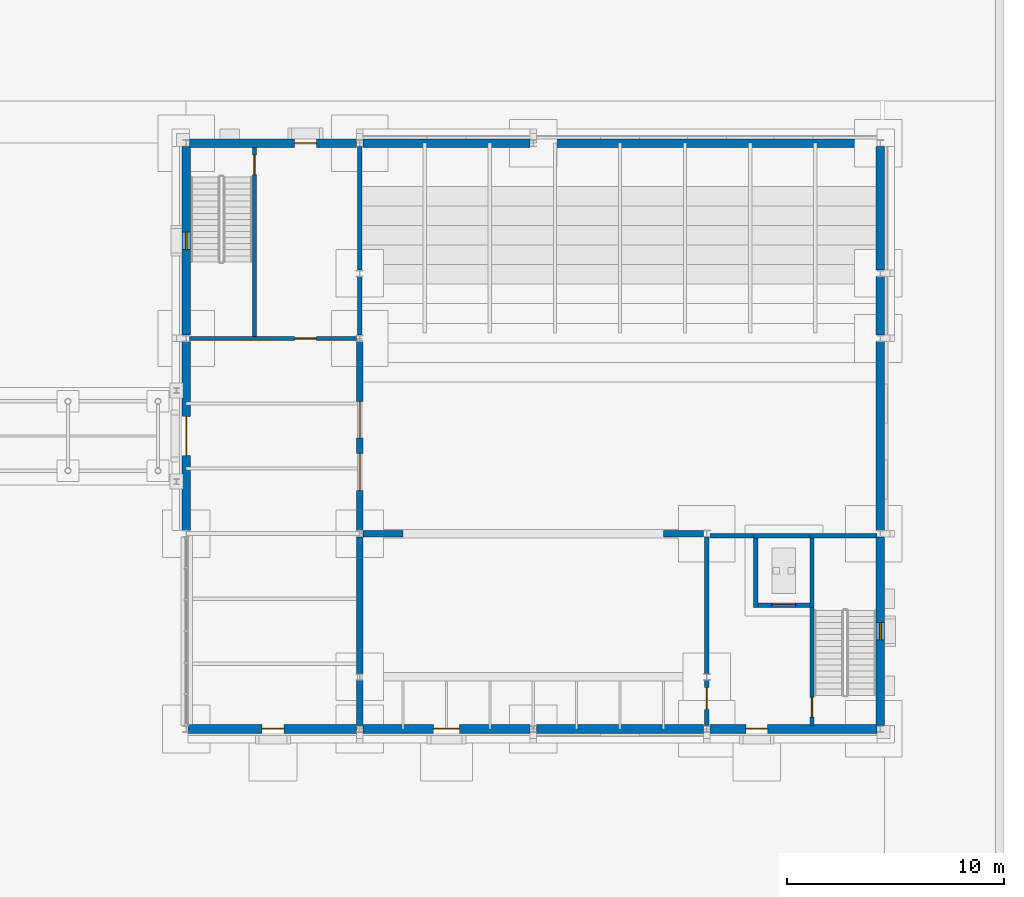
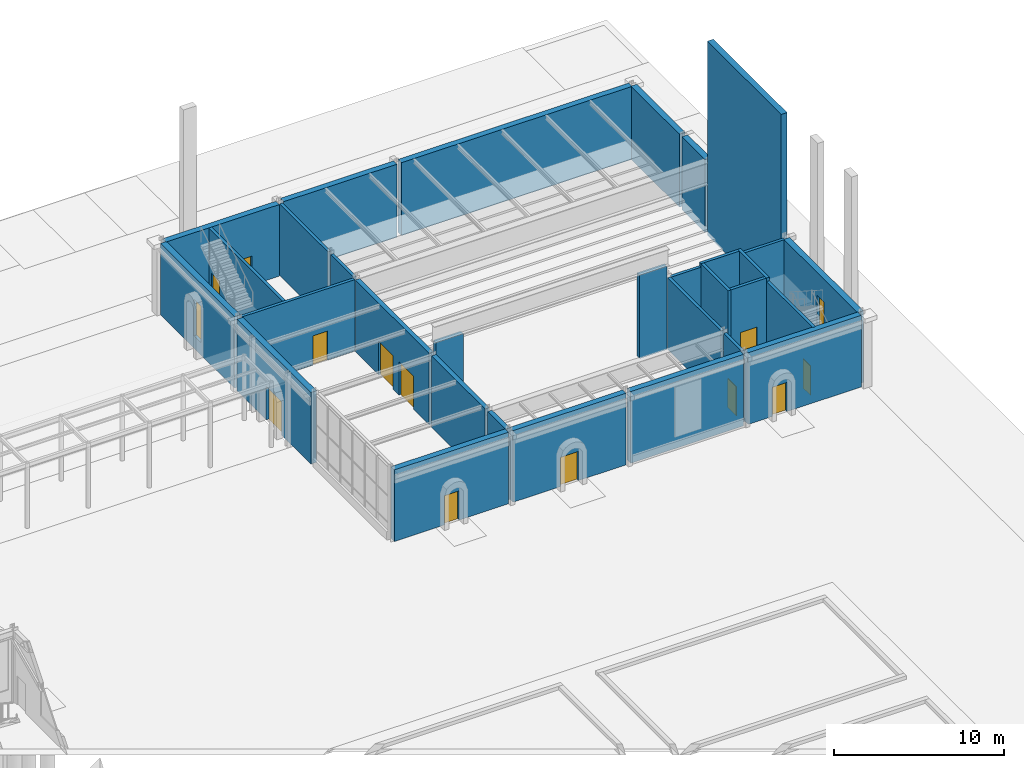
# One storey, part 84 of 126: 31 walls, 12 doors, 2 windows, 14 openings.
"""IFC4 building model written with IfcOpenShell, lengths in metres."""

from ifc_helpers import new_model, si_unit, direction, frame, frame_2d, origin, place, context, subcontext, project, spatial, rectangle, extrude, material, layer, layer_set, type_object, element, fill, save


model = new_model("IFC4")

# Units and contexts
model_context = context("Model", 3, precision=1e-05, world=origin(), true_north=direction((0.0, 1.0)))
body_context = subcontext(model_context, "Body", "Model", "MODEL_VIEW")
ifc_project = project(units=[si_unit("LENGTHUNIT", "METRE"), si_unit("AREAUNIT", "SQUARE_METRE"), si_unit("VOLUMEUNIT", "CUBIC_METRE"), si_unit("PLANEANGLEUNIT", "RADIAN"), si_unit("MASSUNIT", "GRAM", prefix="KILO")], contexts=[model_context])

# Site, building, storey
site_placement = place(None, origin())
site = spatial("IfcSite", under=ifc_project, at=site_placement, CompositionType="ELEMENT")
building_placement = place(site_placement, origin())
building = spatial("IfcBuilding", under=site, at=building_placement, Name="Kallimachos Central Library", CompositionType="ELEMENT")
storey_placement = place(building_placement, origin())
storey = spatial("IfcBuildingStorey", under=building, at=storey_placement, Name="L00", CompositionType="ELEMENT", Elevation=0.0)

# Walls
ifc_material_1 = material(Name="Concrete C30/37", Category="concrete")
ifc_layer_1 = layer(ifc_material_1, 0.199951171875)
ifc_layer_set_1 = layer_set([ifc_layer_1], Name="Core wall 200")
wall_type_1 = type_object("IfcWallType", Name="Core wall 200", PredefinedType="SOLIDWALL", material=ifc_layer_set_1)
wall_1_placement = place(storey_placement, frame((146.0, 105.14990234375, 0.0), z_axis=(0.0, 0.0, 1.0), x_axis=(0.0, 1.0, 0.0)))
element("IfcWall", 1, at=wall_1_placement, inside=storey, type_object=wall_type_1, Name="V3-WAL-L00-017", PredefinedType="SOLIDWALL", context=body_context, shape_type="SweptSolid", body=[
    extrude(rectangle(XDim=2.7001953125, YDim=0.199951171875, at=frame_2d((1.35009765625, 0.0))), origin(), (0.0, 0.0, 1.0), 5.14990234375),
])
wall_2_placement = place(storey_placement, frame((146.0, 108.14990234375, 0.0), z_axis=(0.0, 0.0, 1.0), x_axis=(0.0, 1.0, 0.0)))
element("IfcWall", 2, at=wall_2_placement, inside=storey, type_object=wall_type_1, Name="V3-WAL-L00-018", PredefinedType="SOLIDWALL", context=body_context, shape_type="SweptSolid", body=[
    extrude(rectangle(XDim=5.7001953125, YDim=0.199951171875, at=frame_2d((2.85009765625, 0.0))), origin(), (0.0, 0.0, 1.0), 5.14990234375),
])

# Wall, opening, door
wall_3_placement = place(storey_placement, frame((162.0, 87.14990234375, 0.0), z_axis=(0.0, 0.0, 1.0), x_axis=(0.0, 1.0, 0.0)))
wall_3 = element("IfcWall", 3, at=wall_3_placement, inside=storey, type_object=wall_type_1, Name="V3-WAL-L00-021", PredefinedType="SOLIDWALL", context=body_context, shape_type="SweptSolid", body=[
    extrude(rectangle(XDim=2.10009765625, YDim=0.199951171875, at=frame_2d((1.050048828125, 0.0))), origin(), (0.0, 0.0, 1.0), 5.14990234375),
])
opening_1_placement = place(wall_3_placement, frame((0.75, 0.0, 0.0)))
opening_1 = element("IfcOpeningElement", 4, at=opening_1_placement, cuts=wall_3, Name="Opening D321", PredefinedType="OPENING", context=body_context, shape_type="SweptSolid", body=[
    extrude(rectangle(XDim=1.0, YDim=2.10009765625, at=frame_2d((0.5, 1.050048828125))), frame((0.0, 0.10986328125, 0.0), z_axis=(0.0, -1.0, 0.0), x_axis=(1.0, 0.0, 0.0)), (0.0, 0.0, 1.0), 0.219970703125),
])
ifc_material_2 = material(Name="Oak timber", Category="wood")
door_type_1 = type_object("IfcDoorType", Name="Single door 1000 x 2100", OperationType="NOTDEFINED", PredefinedType="DOOR", material=ifc_material_2)
door_1_placement = place(opening_1_placement, frame((1.0, 0.0, 0.0), z_axis=(0.0, 0.0, 1.0), x_axis=(-1.0, 0.0, 0.0)))
door_1 = element("IfcDoor", 5, at=door_1_placement, inside=storey, type_object=door_type_1, Name="Stage side door L00", OperationType="SINGLE_SWING_LEFT", OverallHeight=2.10009765625, OverallWidth=1.0, PredefinedType="DOOR", context=body_context, shape_type="SweptSolid", body=[
    extrude(rectangle(XDim=1.0, YDim=2.10009765625, at=frame_2d((0.5, 1.050048828125))), frame((0.0, 0.02490234375, 0.0), z_axis=(0.0, -1.0, 0.0), x_axis=(1.0, 0.0, 0.0)), (0.0, 0.0, 1.0), 0.050048828125),
])
fill(opening_1, door_1)

# Wall
wall_4_placement = place(storey_placement, frame((162.0, 89.550048828125, 0.0), z_axis=(0.0, 0.0, 1.0), x_axis=(0.0, 1.0, 0.0)))
element("IfcWall", 6, at=wall_4_placement, inside=storey, type_object=wall_type_1, Name="V3-WAL-L00-022", PredefinedType="SOLIDWALL", context=body_context, shape_type="SweptSolid", body=[
    extrude(rectangle(XDim=6.300048828125, YDim=0.199951171875, at=frame_2d((3.14990234375, 0.0))), origin(), (0.0, 0.0, 1.0), 5.14990234375),
])

# Wall, opening, door
wall_5_placement = place(storey_placement, frame((138.14990234375, 105.0, 0.0), z_axis=(0.0, 0.0, 1.0), x_axis=(1.0, 0.0, 0.0)))
wall_5 = element("IfcWall", 7, at=wall_5_placement, inside=storey, type_object=wall_type_1, Name="V3-WAL-L00-023", PredefinedType="SOLIDWALL", context=body_context, shape_type="SweptSolid", body=[
    extrude(rectangle(XDim=7.7001953125, YDim=0.199951171875, at=frame_2d((3.85009765625, 0.0))), origin(), (0.0, 0.0, 1.0), 5.14990234375),
])
opening_2_placement = place(wall_5_placement, frame((4.85009765625, 0.0, 0.0)))
opening_2 = element("IfcOpeningElement", 8, at=opening_2_placement, cuts=wall_5, Name="Opening D323", PredefinedType="OPENING", context=body_context, shape_type="SweptSolid", body=[
    extrude(rectangle(XDim=1.0, YDim=2.10009765625, at=frame_2d((0.5, 1.050048828125))), frame((0.0, 0.10986328125, 0.0), z_axis=(0.0, -1.0, 0.0), x_axis=(1.0, 0.0, 0.0)), (0.0, 0.0, 1.0), 0.219970703125),
])
door_2_placement = place(opening_2_placement, origin())
door_2 = element("IfcDoor", 9, at=door_2_placement, inside=storey, type_object=door_type_1, Name="Stair lobby ST8 door L00", OperationType="SINGLE_SWING_RIGHT", OverallHeight=2.10009765625, OverallWidth=1.0, PredefinedType="DOOR", context=body_context, shape_type="SweptSolid", body=[
    extrude(rectangle(XDim=1.0, YDim=2.10009765625, at=frame_2d((0.5, 1.050048828125))), frame((0.0, 0.02490234375, 0.0), z_axis=(0.0, -1.0, 0.0), x_axis=(1.0, 0.0, 0.0)), (0.0, 0.0, 1.0), 0.050048828125),
])
fill(opening_2, door_2)

# Walls
wall_6_placement = place(storey_placement, frame((162.14990234375, 95.89990234375, 0.0), z_axis=(0.0, 0.0, 1.0), x_axis=(1.0, 0.0, 0.0)))
element("IfcWall", 10, at=wall_6_placement, inside=storey, type_object=wall_type_1, Name="V3-WAL-L00-024", PredefinedType="SOLIDWALL", context=body_context, shape_type="SweptSolid", body=[
    extrude(rectangle(XDim=2.0, YDim=0.199951171875, at=frame_2d((1.0, 0.0))), origin(), (0.0, 0.0, 1.0), 5.14990234375),
])
wall_7_placement = place(storey_placement, frame((166.75, 95.89990234375, 0.0), z_axis=(0.0, 0.0, 1.0), x_axis=(1.0, 0.0, 0.0)))
element("IfcWall", 11, at=wall_7_placement, inside=storey, type_object=wall_type_1, Name="V3-WAL-L00-025", PredefinedType="SOLIDWALL", context=body_context, shape_type="SweptSolid", body=[
    extrude(rectangle(XDim=3.10009765625, YDim=0.199951171875, at=frame_2d((1.550048828125, 0.0))), origin(), (0.0, 0.0, 1.0), 5.14990234375),
])

# Wall, opening, door
wall_8_placement = place(storey_placement, frame((166.85009765625, 87.14990234375, 0.0), z_axis=(0.0, 0.0, 1.0), x_axis=(0.0, 1.0, 0.0)))
wall_8 = element("IfcWall", 12, at=wall_8_placement, inside=storey, type_object=wall_type_1, Name="V3-WAL-L00-026", PredefinedType="SOLIDWALL", context=body_context, shape_type="SweptSolid", body=[
    extrude(rectangle(XDim=5.4501953125, YDim=0.199951171875, at=frame_2d((2.72509765625, 0.0))), origin(), (0.0, 0.0, 1.0), 5.14990234375),
])
opening_3_placement = place(wall_8_placement, frame((0.39990234375, 0.0, 0.0)))
opening_3 = element("IfcOpeningElement", 13, at=opening_3_placement, cuts=wall_8, Name="Opening D322", PredefinedType="OPENING", context=body_context, shape_type="SweptSolid", body=[
    extrude(rectangle(XDim=0.89990234375, YDim=2.10009765625, at=frame_2d((0.449951171875, 1.050048828125))), frame((0.0, 0.10986328125, 0.0), z_axis=(0.0, -1.0, 0.0), x_axis=(1.0, 0.0, 0.0)), (0.0, 0.0, 1.0), 0.219970703125),
])
ifc_material_3 = material(Name="Steel", Category="steel")
door_type_2 = type_object("IfcDoorType", Name="Single door 900 x 2100", OperationType="NOTDEFINED", PredefinedType="DOOR", material=ifc_material_3)
door_3_placement = place(opening_3_placement, frame((0.89990234375, 0.0, 0.0), z_axis=(0.0, 0.0, 1.0), x_axis=(-1.0, 0.0, 0.0)))
door_3 = element("IfcDoor", 14, at=door_3_placement, inside=storey, type_object=door_type_2, Name="Stair ST7 door L00", OperationType="SINGLE_SWING_LEFT", OverallHeight=2.10009765625, OverallWidth=0.89990234375, PredefinedType="DOOR", context=body_context, shape_type="SweptSolid", body=[
    extrude(rectangle(XDim=0.89990234375, YDim=2.10009765625, at=frame_2d((0.449951171875, 1.050048828125))), frame((0.0, 0.02490234375, 0.0), z_axis=(0.0, -1.0, 0.0), x_axis=(1.0, 0.0, 0.0)), (0.0, 0.0, 1.0), 0.050048828125),
])
fill(opening_3, door_3)

wall_9_placement = place(storey_placement, frame((141.14990234375, 105.10009765625, 0.0), z_axis=(0.0, 0.0, 1.0), x_axis=(0.0, 1.0, 0.0)))
wall_9 = element("IfcWall", 15, at=wall_9_placement, inside=storey, type_object=wall_type_1, Name="V3-WAL-L00-027", PredefinedType="SOLIDWALL", context=body_context, shape_type="SweptSolid", body=[
    extrude(rectangle(XDim=8.699951171875, YDim=0.199951171875, at=frame_2d((4.35009765625, 0.0))), origin(), (0.0, 0.0, 1.0), 5.14990234375),
])
opening_4_placement = place(wall_9_placement, frame((7.449951171875, 0.0, 0.0)))
opening_4 = element("IfcOpeningElement", 16, at=opening_4_placement, cuts=wall_9, Name="Opening D324", PredefinedType="OPENING", context=body_context, shape_type="SweptSolid", body=[
    extrude(rectangle(XDim=0.89990234375, YDim=2.10009765625, at=frame_2d((0.449951171875, 1.050048828125))), frame((0.0, 0.10986328125, 0.0), z_axis=(0.0, -1.0, 0.0), x_axis=(1.0, 0.0, 0.0)), (0.0, 0.0, 1.0), 0.219970703125),
])
door_4_placement = place(opening_4_placement, origin())
door_4 = element("IfcDoor", 17, at=door_4_placement, inside=storey, type_object=door_type_2, Name="Stair ST8 door L00", OperationType="SINGLE_SWING_LEFT", OverallHeight=2.10009765625, OverallWidth=0.89990234375, PredefinedType="DOOR", context=body_context, shape_type="SweptSolid", body=[
    extrude(rectangle(XDim=0.89990234375, YDim=2.10009765625, at=frame_2d((0.449951171875, 1.050048828125))), frame((0.0, 0.02490234375, 0.0), z_axis=(0.0, -1.0, 0.0), x_axis=(1.0, 0.0, 0.0)), (0.0, 0.0, 1.0), 0.050048828125),
])
fill(opening_4, door_4)

# Walls
ifc_material_4 = material(Name="Concrete C30/37", Category="concrete")
ifc_layer_2 = layer(ifc_material_4, 0.300048828125)
ifc_layer_set_2 = layer_set([ifc_layer_2], Name="Hall wall 300, load-bearing")
wall_type_2 = type_object("IfcWallType", Name="Hall wall 300, load-bearing", PredefinedType="SOLIDWALL", material=ifc_layer_set_2)
wall_10_placement = place(storey_placement, frame((146.0, 87.14990234375, 0.0), z_axis=(0.0, 0.0, 1.0), x_axis=(0.0, 1.0, 0.0)))
element("IfcWall", 18, at=wall_10_placement, inside=storey, type_object=wall_type_2, Name="V3-WAL-L00-014", PredefinedType="SOLIDWALL", context=body_context, shape_type="SweptSolid", body=[
    extrude(rectangle(XDim=2.10009765625, YDim=0.300048828125, at=frame_2d((1.050048828125, 0.0))), origin(), (0.0, 0.0, 1.0), 5.14990234375),
])
wall_11_placement = place(storey_placement, frame((146.0, 89.550048828125, 0.0), z_axis=(0.0, 0.0, 1.0), x_axis=(0.0, 1.0, 0.0)))
element("IfcWall", 19, at=wall_11_placement, inside=storey, type_object=wall_type_2, Name="V3-WAL-L00-015", PredefinedType="SOLIDWALL", context=body_context, shape_type="SweptSolid", body=[
    extrude(rectangle(XDim=6.300048828125, YDim=0.300048828125, at=frame_2d((3.14990234375, 0.0))), origin(), (0.0, 0.0, 1.0), 5.14990234375),
])

# Wall, openings, doors
wall_12_placement = place(storey_placement, frame((146.0, 96.14990234375, 0.0), z_axis=(0.0, 0.0, 1.0), x_axis=(0.0, 1.0, 0.0)))
wall_12 = element("IfcWall", 20, at=wall_12_placement, inside=storey, type_object=wall_type_2, Name="V3-WAL-L00-016", PredefinedType="SOLIDWALL", context=body_context, shape_type="SweptSolid", body=[
    extrude(rectangle(XDim=8.7001953125, YDim=0.300048828125, at=frame_2d((4.35009765625, 0.0))), origin(), (0.0, 0.0, 1.0), 5.14990234375),
])
opening_5_placement = place(wall_12_placement, frame((1.85009765625, 0.0, 0.0)))
opening_5 = element("IfcOpeningElement", 21, at=opening_5_placement, cuts=wall_12, Name="Opening D319", PredefinedType="OPENING", context=body_context, shape_type="SweptSolid", body=[
    extrude(rectangle(XDim=1.699951171875, YDim=2.39990234375, at=frame_2d((0.85009765625, 1.199951171875))), frame((0.0, 0.159912109375, 0.0), z_axis=(0.0, -1.0, 0.0), x_axis=(1.0, 0.0, 0.0)), (0.0, 0.0, 1.0), 0.320068359375),
])
opening_6_placement = place(wall_12_placement, frame((4.25, 0.0, 0.0)))
opening_6 = element("IfcOpeningElement", 22, at=opening_6_placement, cuts=wall_12, Name="Opening D320", PredefinedType="OPENING", context=body_context, shape_type="SweptSolid", body=[
    extrude(rectangle(XDim=1.699951171875, YDim=2.39990234375, at=frame_2d((0.85009765625, 1.199951171875))), frame((0.0, 0.159912109375, 0.0), z_axis=(0.0, -1.0, 0.0), x_axis=(1.0, 0.0, 0.0)), (0.0, 0.0, 1.0), 0.320068359375),
])
ifc_material_5 = material(Name="Oak timber", Category="wood")
door_type_3 = type_object("IfcDoorType", Name="Hall door 1700 x 2400", OperationType="DOUBLE_DOOR_SINGLE_SWING", PredefinedType="DOOR", material=ifc_material_5)
door_5_placement = place(opening_5_placement, origin())
door_5 = element("IfcDoor", 23, at=door_5_placement, inside=storey, type_object=door_type_3, Name="Hall door L00 west", OperationType="DOUBLE_DOOR_SINGLE_SWING", OverallHeight=2.39990234375, OverallWidth=1.699951171875, PredefinedType="DOOR", context=body_context, shape_type="SweptSolid", body=[
    extrude(rectangle(XDim=1.699951171875, YDim=2.39990234375, at=frame_2d((0.85009765625, 1.199951171875))), frame((0.0, 0.02490234375, 0.0), z_axis=(0.0, -1.0, 0.0), x_axis=(1.0, 0.0, 0.0)), (0.0, 0.0, 1.0), 0.050048828125),
])
fill(opening_5, door_5)
door_6_placement = place(opening_6_placement, origin())
door_6 = element("IfcDoor", 24, at=door_6_placement, inside=storey, type_object=door_type_3, Name="Hall door L00 west 2", OperationType="DOUBLE_DOOR_SINGLE_SWING", OverallHeight=2.39990234375, OverallWidth=1.699951171875, PredefinedType="DOOR", context=body_context, shape_type="SweptSolid", body=[
    extrude(rectangle(XDim=1.699951171875, YDim=2.39990234375, at=frame_2d((0.85009765625, 1.199951171875))), frame((0.0, 0.02490234375, 0.0), z_axis=(0.0, -1.0, 0.0), x_axis=(1.0, 0.0, 0.0)), (0.0, 0.0, 1.0), 0.050048828125),
])
fill(opening_6, door_6)

# Walls
for number, where, z_axis, x_axis, name in (
    (25, (146.14990234375, 96.0, 0.0), (0.0, 0.0, 1.0), (1.0, 0.0, 0.0), "V3-WAL-L00-019"),
    (26, (160.0, 96.0, 0.0), (0.0, 0.0, 1.0), (1.0, 0.0, 0.0), "V3-WAL-L00-020"),
):
    element("IfcWall", number, at=place(storey_placement, frame(where, z_axis=z_axis, x_axis=x_axis)), inside=storey, type_object=wall_type_2, Name=name, PredefinedType="SOLIDWALL", context=body_context, shape_type="SweptSolid", body=[
        extrude(rectangle(XDim=1.85009765625, YDim=0.300048828125, at=frame_2d((0.925048828125, 0.0))), origin(), (0.0, 0.0, 1.0), 6.0),
    ])
ifc_material_6 = material(Name="Concrete C30/37", Category="concrete")
ifc_layer_3 = layer(ifc_material_6, 0.199951171875)
ifc_layer_set_3 = layer_set([ifc_layer_3], Name="Lift shaft wall 200")
wall_type_3 = type_object("IfcWallType", Name="Lift shaft wall 200", PredefinedType="SOLIDWALL", material=ifc_layer_set_3)
wall_13_placement = place(storey_placement, frame((164.14990234375, 95.89990234375, -1.10009765625), z_axis=(0.0, 0.0, 1.0), x_axis=(1.0, 0.0, 0.0)))
element("IfcWall", 27, at=wall_13_placement, inside=storey, type_object=wall_type_3, Name="V3-WAL-L00-028", PredefinedType="SOLIDWALL", context=body_context, shape_type="SweptSolid", body=[
    extrude(rectangle(XDim=2.60009765625, YDim=0.199951171875, at=frame_2d((1.300048828125, 0.0))), origin(), (0.0, 0.0, 1.0), 6.5),
])

# Wall, opening, door
wall_14_placement = place(storey_placement, frame((164.35009765625, 92.699951171875, -1.10009765625), z_axis=(0.0, 0.0, 1.0), x_axis=(1.0, 0.0, 0.0)))
wall_14 = element("IfcWall", 28, at=wall_14_placement, inside=storey, type_object=wall_type_3, Name="V3-WAL-L00-029", PredefinedType="SOLIDWALL", context=body_context, shape_type="SweptSolid", body=[
    extrude(rectangle(XDim=2.39990234375, YDim=0.199951171875, at=frame_2d((1.199951171875, 0.0))), origin(), (0.0, 0.0, 1.0), 6.5),
])
opening_7_placement = place(wall_14_placement, frame((0.64990234375, 0.0, 1.10009765625)))
opening_7 = element("IfcOpeningElement", 29, at=opening_7_placement, cuts=wall_14, Name="Opening LD1100", PredefinedType="OPENING", context=body_context, shape_type="SweptSolid", body=[
    extrude(rectangle(XDim=1.10009765625, YDim=2.10009765625, at=frame_2d((0.550048828125, 1.050048828125))), frame((0.0, 0.10986328125, 0.0), z_axis=(0.0, -1.0, 0.0), x_axis=(1.0, 0.0, 0.0)), (0.0, 0.0, 1.0), 0.219970703125),
])
ifc_material_7 = material(Name="Stainless steel", Category="steel")
door_type_4 = type_object("IfcDoorType", Name="Lift landing door 1100 x 2100", OperationType="SLIDING_TO_LEFT", PredefinedType="DOOR", material=ifc_material_7)
door_7_placement = place(opening_7_placement, origin())
door_7 = element("IfcDoor", 30, at=door_7_placement, inside=storey, type_object=door_type_4, Name="LF6 landing door L00", OperationType="SLIDING_TO_LEFT", OverallHeight=2.10009765625, OverallWidth=1.10009765625, PredefinedType="DOOR", context=body_context, shape_type="SweptSolid", body=[
    extrude(rectangle(XDim=1.10009765625, YDim=2.10009765625, at=frame_2d((0.550048828125, 1.050048828125))), frame((0.0, 0.02490234375, 0.0), z_axis=(0.0, -1.0, 0.0), x_axis=(1.0, 0.0, 0.0)), (0.0, 0.0, 1.0), 0.050048828125),
])
fill(opening_7, door_7)

# Walls
for number, where, z_axis, x_axis, name in (
    (31, (164.25, 92.60009765625, -1.10009765625), (0.0, 0.0, 1.0), (0.0, 1.0, 0.0), "V3-WAL-L00-030"),
    (32, (166.85009765625, 92.60009765625, -1.10009765625), (0.0, 0.0, 1.0), (0.0, 1.0, 0.0), "V3-WAL-L00-031"),
):
    element("IfcWall", number, at=place(storey_placement, frame(where, z_axis=z_axis, x_axis=x_axis)), inside=storey, type_object=wall_type_3, Name=name, PredefinedType="SOLIDWALL", context=body_context, shape_type="SweptSolid", body=[
        extrude(rectangle(XDim=3.39990234375, YDim=0.199951171875, at=frame_2d((1.699951171875, 0.0))), origin(), (0.0, 0.0, 1.0), 6.5),
    ])

# Wall, opening, door
ifc_material_8 = material(Name="Concrete C30/37", Category="concrete")
ifc_layer_4 = layer(ifc_material_8, 0.39990234375)
ifc_layer_set_4 = layer_set([ifc_layer_4], Name="Stone-clad wall 400")
wall_type_4 = type_object("IfcWallType", Name="Stone-clad wall 400", PredefinedType="SOLIDWALL", material=ifc_layer_set_4)
wall_15_placement = place(storey_placement, frame((138.0, 96.14990234375, 0.0), z_axis=(0.0, 0.0, 1.0), x_axis=(0.0, 1.0, 0.0)))
wall_15 = element("IfcWall", 33, at=wall_15_placement, inside=storey, type_object=wall_type_4, Name="V3-WAL-L00-001", PredefinedType="SOLIDWALL", context=body_context, shape_type="SweptSolid", body=[
    extrude(rectangle(XDim=8.7001953125, YDim=0.39990234375, at=frame_2d((4.35009765625, 0.0))), origin(), (0.0, 0.0, 1.0), 5.14990234375),
])
opening_8_placement = place(wall_15_placement, frame((3.449951171875, 0.0, 0.0)))
opening_8 = element("IfcOpeningElement", 34, at=opening_8_placement, cuts=wall_15, Name="Opening DL6", PredefinedType="OPENING", context=body_context, shape_type="SweptSolid", body=[
    extrude(rectangle(XDim=1.800048828125, YDim=2.39990234375, at=frame_2d((0.89990234375, 1.199951171875))), frame((0.0, 0.2099609375, 0.0), z_axis=(0.0, -1.0, 0.0), x_axis=(1.0, 0.0, 0.0)), (0.0, 0.0, 1.0), 0.419921875),
])
ifc_material_9 = material(Name="Anodised aluminium and laminated glass", Category="aluminium")
door_type_5 = type_object("IfcDoorType", Name="Link door 1800 x 2400, EI2 90", OperationType="DOUBLE_DOOR_SINGLE_SWING", PredefinedType="DOOR", material=ifc_material_9)
door_8_placement = place(opening_8_placement, origin())
door_8 = element("IfcDoor", 35, at=door_8_placement, inside=storey, type_object=door_type_5, Name="Link door L00 arcade", OperationType="DOUBLE_DOOR_SINGLE_SWING", OverallHeight=2.39990234375, OverallWidth=1.800048828125, PredefinedType="DOOR", context=body_context, shape_type="SweptSolid", body=[
    extrude(rectangle(XDim=1.800048828125, YDim=2.39990234375, at=frame_2d((0.89990234375, 1.199951171875))), frame((0.0, 0.02490234375, 0.0), z_axis=(0.0, -1.0, 0.0), x_axis=(1.0, 0.0, 0.0)), (0.0, 0.0, 1.0), 0.050048828125),
])
fill(opening_8, door_8)

# Wall, opening, window
wall_16_placement = place(storey_placement, frame((138.0, 105.14990234375, 0.0), z_axis=(0.0, 0.0, 1.0), x_axis=(0.0, 1.0, 0.0)))
wall_16 = element("IfcWall", 36, at=wall_16_placement, inside=storey, type_object=wall_type_4, Name="V3-WAL-L00-002", PredefinedType="SOLIDWALL", context=body_context, shape_type="SweptSolid", body=[
    extrude(rectangle(XDim=8.7001953125, YDim=0.39990234375, at=frame_2d((4.35009765625, 0.0))), origin(), (0.0, 0.0, 1.0), 5.14990234375),
])
opening_9_placement = place(wall_16_placement, frame((3.949951171875, 0.0, 0.89990234375)))
opening_9 = element("IfcOpeningElement", 37, at=opening_9_placement, cuts=wall_16, Name="Opening W79", PredefinedType="OPENING", context=body_context, shape_type="SweptSolid", body=[
    extrude(rectangle(XDim=0.800048828125, YDim=2.60009765625, at=frame_2d((0.39990234375, 1.300048828125))), frame((0.0, 0.2099609375, 0.0), z_axis=(0.0, -1.0, 0.0), x_axis=(1.0, 0.0, 0.0)), (0.0, 0.0, 1.0), 0.419921875),
])
ifc_material_10 = material(Name="Anodised aluminium and laminated glass", Category="aluminium")
window_type = type_object("IfcWindowType", Name="Slot window 800 x 2600", PartitioningType="SINGLE_PANEL", PredefinedType="WINDOW", material=ifc_material_10)
window_1_placement = place(opening_9_placement, origin())
window_1 = element("IfcWindow", 38, at=window_1_placement, inside=storey, type_object=window_type, Name="V3-WIN-L00-001", OverallHeight=2.60009765625, OverallWidth=0.800048828125, PartitioningType="SINGLE_PANEL", PredefinedType="WINDOW", context=body_context, shape_type="SweptSolid", body=[
    extrude(rectangle(XDim=0.800048828125, YDim=2.60009765625, at=frame_2d((0.39990234375, 1.300048828125))), frame((0.0, 0.030029296875, 0.0), z_axis=(0.0, -1.0, 0.0), x_axis=(1.0, 0.0, 0.0)), (0.0, 0.0, 1.0), 0.06005859375),
])
fill(opening_9, window_1)

wall_17_placement = place(storey_placement, frame((170.0, 87.14990234375, 0.0), z_axis=(0.0, 0.0, 1.0), x_axis=(0.0, 1.0, 0.0)))
wall_17 = element("IfcWall", 39, at=wall_17_placement, inside=storey, type_object=wall_type_4, Name="V3-WAL-L00-003", PredefinedType="SOLIDWALL", context=body_context, shape_type="SweptSolid", body=[
    extrude(rectangle(XDim=8.7001953125, YDim=0.39990234375, at=frame_2d((4.35009765625, 0.0))), origin(), (0.0, 0.0, 1.0), 5.14990234375),
])
opening_10_placement = place(wall_17_placement, frame((3.949951171875, 0.0, 0.89990234375)))
opening_10 = element("IfcOpeningElement", 40, at=opening_10_placement, cuts=wall_17, Name="Opening W79", PredefinedType="OPENING", context=body_context, shape_type="SweptSolid", body=[
    extrude(rectangle(XDim=0.800048828125, YDim=2.60009765625, at=frame_2d((0.39990234375, 1.300048828125))), frame((0.0, 0.2099609375, 0.0), z_axis=(0.0, -1.0, 0.0), x_axis=(1.0, 0.0, 0.0)), (0.0, 0.0, 1.0), 0.419921875),
])
window_2_placement = place(opening_10_placement, origin())
window_2 = element("IfcWindow", 41, at=window_2_placement, inside=storey, type_object=window_type, Name="V3-WIN-L00-002", OverallHeight=2.60009765625, OverallWidth=0.800048828125, PartitioningType="SINGLE_PANEL", PredefinedType="WINDOW", context=body_context, shape_type="SweptSolid", body=[
    extrude(rectangle(XDim=0.800048828125, YDim=2.60009765625, at=frame_2d((0.39990234375, 1.300048828125))), frame((0.0, 0.030029296875, 0.0), z_axis=(0.0, -1.0, 0.0), x_axis=(1.0, 0.0, 0.0)), (0.0, 0.0, 1.0), 0.06005859375),
])
fill(opening_10, window_2)

# Walls
wall_18_placement = place(storey_placement, frame((170.0, 96.14990234375, 0.0), z_axis=(0.0, 0.0, 1.0), x_axis=(0.0, 1.0, 0.0)))
element("IfcWall", 42, at=wall_18_placement, inside=storey, type_object=wall_type_4, Name="V3-WAL-L00-004", PredefinedType="SOLIDWALL", context=body_context, shape_type="SweptSolid", body=[
    extrude(rectangle(XDim=8.7001953125, YDim=0.39990234375, at=frame_2d((4.35009765625, 0.0))), origin(), (0.0, 0.0, 1.0), 13.949951171875),
])
wall_19_placement = place(storey_placement, frame((170.0, 105.14990234375, 0.0), z_axis=(0.0, 0.0, 1.0), x_axis=(0.0, 1.0, 0.0)))
element("IfcWall", 43, at=wall_19_placement, inside=storey, type_object=wall_type_4, Name="V3-WAL-L00-005", PredefinedType="SOLIDWALL", context=body_context, shape_type="SweptSolid", body=[
    extrude(rectangle(XDim=2.7001953125, YDim=0.39990234375, at=frame_2d((1.35009765625, 0.0))), origin(), (0.0, 0.0, 1.0), 5.25),
])
wall_20_placement = place(storey_placement, frame((170.0, 108.14990234375, 0.0), z_axis=(0.0, 0.0, 1.0), x_axis=(0.0, 1.0, 0.0)))
element("IfcWall", 44, at=wall_20_placement, inside=storey, type_object=wall_type_4, Name="V3-WAL-L00-006", PredefinedType="SOLIDWALL", context=body_context, shape_type="SweptSolid", body=[
    extrude(rectangle(XDim=5.7001953125, YDim=0.39990234375, at=frame_2d((2.85009765625, 0.0))), origin(), (0.0, 0.0, 1.0), 5.25),
])

# Wall, opening, door
wall_21_placement = place(storey_placement, frame((138.090087890625, 87.0, 0.0), z_axis=(0.0, 0.0, 1.0), x_axis=(1.0, 0.0, 0.0)))
wall_21 = element("IfcWall", 45, at=wall_21_placement, inside=storey, type_object=wall_type_4, Name="V3-WAL-L00-007", PredefinedType="SOLIDWALL", context=body_context, shape_type="SweptSolid", body=[
    extrude(rectangle(XDim=7.760009765625, YDim=0.39990234375, at=frame_2d((3.8798828125, 0.0))), origin(), (0.0, 0.0, 1.0), 5.14990234375),
])
opening_11_placement = place(wall_21_placement, frame((3.409912109375, 0.0, 0.0)))
opening_11 = element("IfcOpeningElement", 46, at=opening_11_placement, cuts=wall_21, Name="Opening D68", PredefinedType="OPENING", context=body_context, shape_type="SweptSolid", body=[
    extrude(rectangle(XDim=1.0, YDim=2.10009765625, at=frame_2d((0.5, 1.050048828125))), frame((0.0, 0.2099609375, 0.0), z_axis=(0.0, -1.0, 0.0), x_axis=(1.0, 0.0, 0.0)), (0.0, 0.0, 1.0), 0.419921875),
])
door_9_placement = place(opening_11_placement, frame((1.0, 0.0, 0.0), z_axis=(0.0, 0.0, 1.0), x_axis=(-1.0, 0.0, 0.0)))
door_9 = element("IfcDoor", 47, at=door_9_placement, inside=storey, type_object=door_type_1, Name="Exit Door foyer south", OperationType="SINGLE_SWING_RIGHT", OverallHeight=2.10009765625, OverallWidth=1.0, PredefinedType="DOOR", context=body_context, shape_type="SweptSolid", body=[
    extrude(rectangle(XDim=1.0, YDim=2.10009765625, at=frame_2d((0.5, 1.050048828125))), frame((0.0, 0.02490234375, 0.0), z_axis=(0.0, -1.0, 0.0), x_axis=(1.0, 0.0, 0.0)), (0.0, 0.0, 1.0), 0.050048828125),
])
fill(opening_11, door_9)

wall_22_placement = place(storey_placement, frame((146.14990234375, 87.0, 0.0), z_axis=(0.0, 0.0, 1.0), x_axis=(1.0, 0.0, 0.0)))
wall_22 = element("IfcWall", 48, at=wall_22_placement, inside=storey, type_object=wall_type_4, Name="V3-WAL-L00-008", PredefinedType="SOLIDWALL", context=body_context, shape_type="SweptSolid", body=[
    extrude(rectangle(XDim=7.7001953125, YDim=0.39990234375, at=frame_2d((3.85009765625, 0.0))), origin(), (0.0, 0.0, 1.0), 5.14990234375),
])
opening_12_placement = place(wall_22_placement, frame((3.25, 0.0, 0.0)))
opening_12 = element("IfcOpeningElement", 49, at=opening_12_placement, cuts=wall_22, Name="Opening D69", PredefinedType="OPENING", context=body_context, shape_type="SweptSolid", body=[
    extrude(rectangle(XDim=1.199951171875, YDim=2.10009765625, at=frame_2d((0.60009765625, 1.050048828125))), frame((0.0, 0.2099609375, 0.0), z_axis=(0.0, -1.0, 0.0), x_axis=(1.0, 0.0, 0.0)), (0.0, 0.0, 1.0), 0.419921875),
])
ifc_material_11 = material(Name="Steel", Category="steel")
door_type_6 = type_object("IfcDoorType", Name="Stage door 1200 x 2100", OperationType="NOTDEFINED", PredefinedType="DOOR", material=ifc_material_11)
door_10_placement = place(opening_12_placement, frame((1.199951171875, 0.0, 0.0), z_axis=(0.0, 0.0, 1.0), x_axis=(-1.0, 0.0, 0.0)))
door_10 = element("IfcDoor", 50, at=door_10_placement, inside=storey, type_object=door_type_6, Name="Exit Door stage south", OperationType="SINGLE_SWING_LEFT", OverallHeight=2.10009765625, OverallWidth=1.199951171875, PredefinedType="DOOR", context=body_context, shape_type="SweptSolid", body=[
    extrude(rectangle(XDim=1.199951171875, YDim=2.10009765625, at=frame_2d((0.60009765625, 1.050048828125))), frame((0.0, 0.02490234375, 0.0), z_axis=(0.0, -1.0, 0.0), x_axis=(1.0, 0.0, 0.0)), (0.0, 0.0, 1.0), 0.050048828125),
])
fill(opening_12, door_10)

# Wall
wall_23_placement = place(storey_placement, frame((154.14990234375, 87.0, 0.0), z_axis=(0.0, 0.0, 1.0), x_axis=(1.0, 0.0, 0.0)))
element("IfcWall", 51, at=wall_23_placement, inside=storey, type_object=wall_type_4, Name="V3-WAL-L00-009", PredefinedType="SOLIDWALL", context=body_context, shape_type="SweptSolid", body=[
    extrude(rectangle(XDim=7.7001953125, YDim=0.39990234375, at=frame_2d((3.85009765625, 0.0))), origin(), (0.0, 0.0, 1.0), 5.14990234375),
])

# Wall, opening, door
wall_24_placement = place(storey_placement, frame((162.14990234375, 87.0, 0.0), z_axis=(0.0, 0.0, 1.0), x_axis=(1.0, 0.0, 0.0)))
wall_24 = element("IfcWall", 52, at=wall_24_placement, inside=storey, type_object=wall_type_4, Name="V3-WAL-L00-010", PredefinedType="SOLIDWALL", context=body_context, shape_type="SweptSolid", body=[
    extrude(rectangle(XDim=7.7001953125, YDim=0.39990234375, at=frame_2d((3.85009765625, 0.0))), origin(), (0.0, 0.0, 1.0), 5.14990234375),
])
opening_13_placement = place(wall_24_placement, frame((1.64990234375, 0.0, 0.0)))
opening_13 = element("IfcOpeningElement", 53, at=opening_13_placement, cuts=wall_24, Name="Opening D70", PredefinedType="OPENING", context=body_context, shape_type="SweptSolid", body=[
    extrude(rectangle(XDim=1.0, YDim=2.10009765625, at=frame_2d((0.5, 1.050048828125))), frame((0.0, 0.2099609375, 0.0), z_axis=(0.0, -1.0, 0.0), x_axis=(1.0, 0.0, 0.0)), (0.0, 0.0, 1.0), 0.419921875),
])
door_11_placement = place(opening_13_placement, frame((1.0, 0.0, 0.0), z_axis=(0.0, 0.0, 1.0), x_axis=(-1.0, 0.0, 0.0)))
door_11 = element("IfcDoor", 54, at=door_11_placement, inside=storey, type_object=door_type_1, Name="Exit Door core south", OperationType="SINGLE_SWING_LEFT", OverallHeight=2.10009765625, OverallWidth=1.0, PredefinedType="DOOR", context=body_context, shape_type="SweptSolid", body=[
    extrude(rectangle(XDim=1.0, YDim=2.10009765625, at=frame_2d((0.5, 1.050048828125))), frame((0.0, 0.02490234375, 0.0), z_axis=(0.0, -1.0, 0.0), x_axis=(1.0, 0.0, 0.0)), (0.0, 0.0, 1.0), 0.050048828125),
])
fill(opening_13, door_11)

wall_25_placement = place(storey_placement, frame((138.14990234375, 114.0, 0.0), z_axis=(0.0, 0.0, 1.0), x_axis=(1.0, 0.0, 0.0)))
wall_25 = element("IfcWall", 55, at=wall_25_placement, inside=storey, type_object=wall_type_4, Name="V3-WAL-L00-011", PredefinedType="SOLIDWALL", context=body_context, shape_type="SweptSolid", body=[
    extrude(rectangle(XDim=7.7001953125, YDim=0.39990234375, at=frame_2d((3.85009765625, 0.0))), origin(), (0.0, 0.0, 1.0), 5.14990234375),
])
opening_14_placement = place(wall_25_placement, frame((4.85009765625, 0.0, 0.0)))
opening_14 = element("IfcOpeningElement", 56, at=opening_14_placement, cuts=wall_25, Name="Opening D71", PredefinedType="OPENING", context=body_context, shape_type="SweptSolid", body=[
    extrude(rectangle(XDim=1.0, YDim=2.10009765625, at=frame_2d((0.5, 1.050048828125))), frame((0.0, 0.2099609375, 0.0), z_axis=(0.0, -1.0, 0.0), x_axis=(1.0, 0.0, 0.0)), (0.0, 0.0, 1.0), 0.419921875),
])
door_12_placement = place(opening_14_placement, origin())
door_12 = element("IfcDoor", 57, at=door_12_placement, inside=storey, type_object=door_type_1, Name="Exit Door core north", OperationType="SINGLE_SWING_LEFT", OverallHeight=2.10009765625, OverallWidth=1.0, PredefinedType="DOOR", context=body_context, shape_type="SweptSolid", body=[
    extrude(rectangle(XDim=1.0, YDim=2.10009765625, at=frame_2d((0.5, 1.050048828125))), frame((0.0, 0.02490234375, 0.0), z_axis=(0.0, -1.0, 0.0), x_axis=(1.0, 0.0, 0.0)), (0.0, 0.0, 1.0), 0.050048828125),
])
fill(opening_14, door_12)

# Walls
wall_26_placement = place(storey_placement, frame((146.14990234375, 114.0, 0.0), z_axis=(0.0, 0.0, 1.0), x_axis=(1.0, 0.0, 0.0)))
element("IfcWall", 58, at=wall_26_placement, inside=storey, type_object=wall_type_4, Name="V3-WAL-L00-012", PredefinedType="SOLIDWALL", context=body_context, shape_type="SweptSolid", body=[
    extrude(rectangle(XDim=7.7001953125, YDim=0.39990234375, at=frame_2d((3.85009765625, 0.0))), origin(), (0.0, 0.0, 1.0), 5.25),
])
wall_27_placement = place(storey_placement, frame((154.14990234375, 114.0, 0.0), z_axis=(0.0, 0.0, 1.0), x_axis=(1.0, 0.0, 0.0)))
element("IfcWall", 59, at=wall_27_placement, inside=storey, type_object=wall_type_4, Name="V3-WAL-L00-013", PredefinedType="SOLIDWALL", context=body_context, shape_type="SweptSolid", body=[
    extrude(rectangle(XDim=15.7001953125, YDim=0.39990234375, at=frame_2d((7.85009765625, 0.0))), origin(), (0.0, 0.0, 1.0), 5.25),
])

save(model, "model.ifc")
